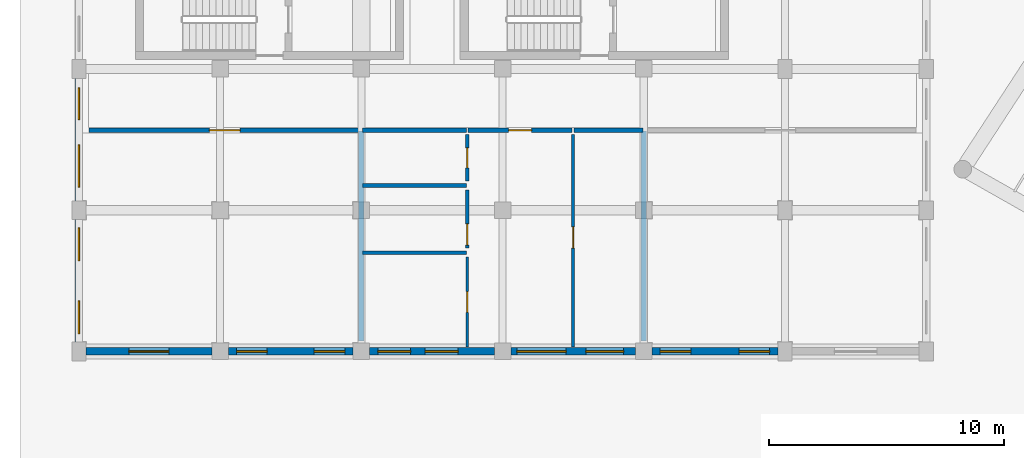
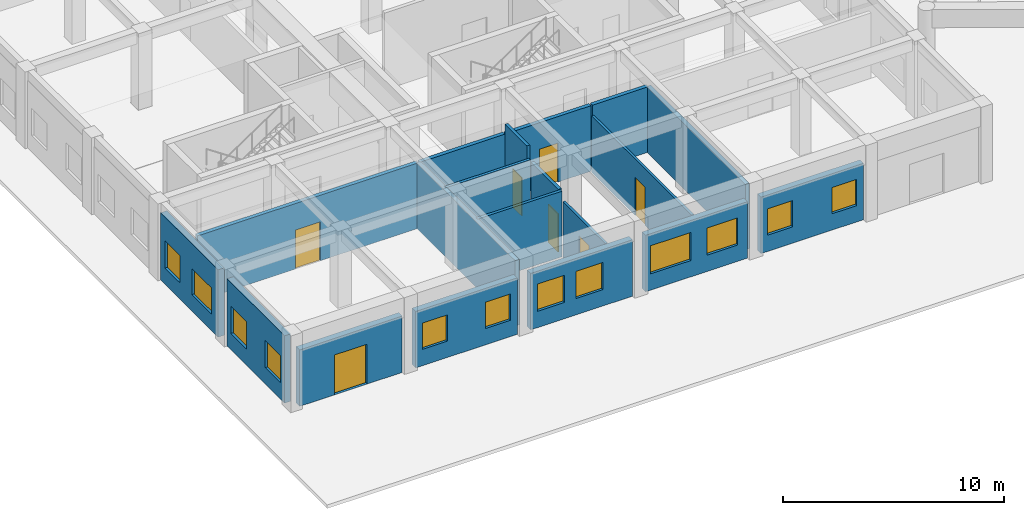
# One storey, part 47 of 76: 19 walls, 12 windows, 7 doors, 19 openings.
"""IFC4 building model written with IfcOpenShell, lengths in metres."""

from ifc_helpers import new_model, si_unit, direction, frame, frame_2d, origin, place, context, subcontext, project, spatial, rectangle, extrude, material, layer, layer_set, type_object, element, fill, save


model = new_model("IFC4")

# Units and contexts
model_context = context("Model", 3, precision=1e-05, world=origin(), true_north=direction((0.0, 1.0)))
body_context = subcontext(model_context, "Body", "Model", "MODEL_VIEW")
ifc_project = project(units=[si_unit("LENGTHUNIT", "METRE"), si_unit("AREAUNIT", "SQUARE_METRE"), si_unit("VOLUMEUNIT", "CUBIC_METRE"), si_unit("PLANEANGLEUNIT", "RADIAN"), si_unit("MASSUNIT", "GRAM", prefix="KILO"), si_unit("POWERUNIT", "WATT"), si_unit("THERMODYNAMICTEMPERATUREUNIT", "KELVIN")], contexts=[model_context])

# Site, building, storey
site_placement = place(None, origin())
site = spatial("IfcSite", under=ifc_project, at=site_placement, CompositionType="ELEMENT")
building_placement = place(site_placement, origin())
building = spatial("IfcBuilding", under=site, at=building_placement, Name="Ruvembo Vaulted Housing Court", CompositionType="ELEMENT")
storey_placement = place(building_placement, origin())
storey = spatial("IfcBuildingStorey", under=building, at=storey_placement, Name="L00", CompositionType="ELEMENT", Elevation=0.0)

# Wall, opening, door
ifc_material_1 = material(Name="Concrete Blockwork 200", Category="masonry")
ifc_layer_1 = layer(ifc_material_1, 0.199951171875, Name="Concrete Blockwork 200")
ifc_layer_set_1 = layer_set([ifc_layer_1], Name="Concrete Blockwork 200")
wall_type_1 = type_object("IfcWallType", Name="WL-CORR-200", PredefinedType="SOLIDWALL", material=ifc_layer_set_1)
wall_1_placement = place(storey_placement, frame((0.43994140625, 15.39990234375, 0.0), z_axis=(0.0, 0.0, 1.0), x_axis=(1.0, 0.0, 0.0)))
wall_1 = element("IfcWall", 1, at=wall_1_placement, inside=storey, type_object=wall_type_1, Name="L00 West Vestibule WL-INT-L00-00094", PredefinedType="SOLIDWALL", context=body_context, shape_type="SweptSolid", body=[
    extrude(rectangle(XDim=11.52001953125, YDim=0.199951171875, at=frame_2d((5.760009765625, 0.0))), origin(), (0.0, 0.0, 1.0), 3.612060546875),
])
opening_1_placement = place(wall_1_placement, frame((5.110107421875, 0.0, 0.0)))
opening_1 = element("IfcOpeningElement", 2, at=opening_1_placement, cuts=wall_1, Name="Opening CD2", PredefinedType="OPENING", context=body_context, shape_type="SweptSolid", body=[
    extrude(rectangle(XDim=1.300048828125, YDim=2.14990234375, at=frame_2d((0.64990234375, 1.074951171875))), frame((0.0, 0.10986328125, 0.0), z_axis=(0.0, -1.0, 0.0), x_axis=(1.0, 0.0, 0.0)), (0.0, 0.0, 1.0), 0.219970703125),
])
ifc_material_2 = material(Name="FSC Hardwood and Engineered Timber", Category="wood")
door_type_1 = type_object("IfcDoorType", Name="DR-CIVIC-1300x2150", OperationType="NOTDEFINED", PredefinedType="DOOR", material=ifc_material_2)
door_1_placement = place(opening_1_placement, origin())
door_1 = element("IfcDoor", 3, at=door_1_placement, inside=storey, type_object=door_type_1, Name="L00 West Vestibule Door DR-INT-L00-00039", OperationType="SINGLE_SWING_LEFT", OverallHeight=2.14990234375, OverallWidth=1.300048828125, PredefinedType="DOOR", context=body_context, shape_type="SweptSolid", body=[
    extrude(rectangle(XDim=1.300048828125, YDim=2.14990234375, at=frame_2d((0.64990234375, 1.074951171875))), frame((0.0, 0.02490234375, 0.0), z_axis=(0.0, -1.0, 0.0), x_axis=(1.0, 0.0, 0.0)), (0.0, 0.0, 1.0), 0.050048828125),
])
fill(opening_1, door_1)

# Wall
wall_2_placement = place(storey_placement, frame((12.0400390625, 15.39990234375, 0.0), z_axis=(0.0, 0.0, 1.0), x_axis=(1.0, 0.0, 0.0)))
element("IfcWall", 4, at=wall_2_placement, inside=storey, type_object=wall_type_1, Name="L00 Flat A01 Corridor Wall WL-INT-L00-00096", PredefinedType="SOLIDWALL", context=body_context, shape_type="SweptSolid", body=[
    extrude(rectangle(XDim=4.419921875, YDim=0.199951171875, at=frame_2d((2.2099609375, 0.0))), origin(), (0.0, 0.0, 1.0), 3.612060546875),
])

# Wall, opening, door
wall_3_placement = place(storey_placement, frame((16.5400390625, 15.39990234375, 0.0), z_axis=(0.0, 0.0, 1.0), x_axis=(1.0, 0.0, 0.0)))
wall_3 = element("IfcWall", 5, at=wall_3_placement, inside=storey, type_object=wall_type_1, Name="L00 Flat A01 Entrance WL-INT-L00-00097", PredefinedType="SOLIDWALL", context=body_context, shape_type="SweptSolid", body=[
    extrude(rectangle(XDim=4.419921875, YDim=0.199951171875, at=frame_2d((2.2099609375, 0.0))), origin(), (0.0, 0.0, 1.0), 3.612060546875),
])
opening_2_placement = place(wall_3_placement, frame((1.719970703125, 0.0, 0.0)))
opening_2 = element("IfcOpeningElement", 6, at=opening_2_placement, cuts=wall_3, Name="Opening FD2", PredefinedType="OPENING", context=body_context, shape_type="SweptSolid", body=[
    extrude(rectangle(XDim=0.97998046875, YDim=2.14990234375, at=frame_2d((0.489990234375, 1.074951171875))), frame((0.0, 0.10986328125, 0.0), z_axis=(0.0, -1.0, 0.0), x_axis=(1.0, 0.0, 0.0)), (0.0, 0.0, 1.0), 0.219970703125),
])
door_type_2 = type_object("IfcDoorType", Name="DR-FLAT-0980x2150", OperationType="NOTDEFINED", PredefinedType="DOOR", material=ifc_material_2)
door_2_placement = place(opening_2_placement, origin())
door_2 = element("IfcDoor", 7, at=door_2_placement, inside=storey, type_object=door_type_2, Name="L00 Flat A01 Entrance Door DR-INT-L00-00040", OperationType="SINGLE_SWING_RIGHT", OverallHeight=2.14990234375, OverallWidth=0.97998046875, PredefinedType="DOOR", context=body_context, shape_type="SweptSolid", body=[
    extrude(rectangle(XDim=0.97998046875, YDim=2.14990234375, at=frame_2d((0.489990234375, 1.074951171875))), frame((0.0, 0.02490234375, 0.0), z_axis=(0.0, -1.0, 0.0), x_axis=(1.0, 0.0, 0.0)), (0.0, 0.0, 1.0), 0.050048828125),
])
fill(opening_2, door_2)

# Walls
wall_4_placement = place(storey_placement, frame((21.0400390625, 15.39990234375, 0.0), z_axis=(0.0, 0.0, 1.0), x_axis=(1.0, 0.0, 0.0)))
element("IfcWall", 8, at=wall_4_placement, inside=storey, type_object=wall_type_1, Name="L00 Flat A01 Corridor Wall 2 WL-INT-L00-00103", PredefinedType="SOLIDWALL", context=body_context, shape_type="SweptSolid", body=[
    extrude(rectangle(XDim=2.919921875, YDim=0.199951171875, at=frame_2d((1.4599609375, 0.0))), origin(), (0.0, 0.0, 1.0), 3.612060546875),
])
ifc_material_3 = material(Name="Acoustic Masonry Demising 220", Category="masonry")
ifc_layer_2 = layer(ifc_material_3, 0.219970703125, Name="Acoustic Masonry Demising 220")
ifc_layer_set_2 = layer_set([ifc_layer_2], Name="Acoustic Masonry Demising 220")
wall_type_2 = type_object("IfcWallType", Name="WL-DEM-200", PredefinedType="SOLIDWALL", material=ifc_layer_set_2)
for number, where, z_axis, x_axis, name in (
    (9, (12.0, 6.43994140625, 0.0), (0.0, 0.0, 1.0), (0.0, 1.0, 0.0), "L00 Demising WL-INT-L00-00095"),
    (10, (24.0, 6.43994140625, 0.0), (0.0, 0.0, 1.0), (0.0, 1.0, 0.0), "L00 Demising WL-INT-L00-00105"),
):
    element("IfcWall", number, at=place(storey_placement, frame(where, z_axis=z_axis, x_axis=x_axis)), inside=storey, type_object=wall_type_2, Name=name, PredefinedType="SOLIDWALL", context=body_context, shape_type="SweptSolid", body=[
        extrude(rectangle(XDim=8.920166015625, YDim=0.219970703125, at=frame_2d((4.4599609375, 0.0))), origin(), (0.0, 0.0, 1.0), 3.612060546875),
    ])

# Wall, opening, door
ifc_material_4 = material(Name="Rendered Masonry 320", Category="masonry")
ifc_layer_3 = layer(ifc_material_4, 0.320068359375, Name="Rendered Masonry 320")
ifc_layer_set_3 = layer_set([ifc_layer_3], Name="Rendered Masonry 320")
wall_type_3 = type_object("IfcWallType", Name="WL-EXT-320", PredefinedType="STANDARD", material=ifc_layer_set_3)
wall_5_placement = place(storey_placement, frame((0.300048828125, 6.0, 0.0), z_axis=(0.0, 0.0, 1.0), x_axis=(1.0, 0.0, 0.0)))
wall_5 = element("IfcWall", 11, at=wall_5_placement, inside=storey, type_object=wall_type_3, Name="Block A L00 Exterior Wall STREET #1", PredefinedType="STANDARD", context=body_context, shape_type="SweptSolid", body=[
    extrude(rectangle(XDim=5.349853515625, YDim=0.320068359375, at=frame_2d((2.6748046875, 0.0))), origin(), (0.0, 0.0, 1.0), 3.112060546875),
])
opening_3_placement = place(wall_5_placement, frame((1.824951171875, 0.0, 0.0)))
opening_3 = element("IfcOpeningElement", 12, at=opening_3_placement, cuts=wall_5, Name="Opening EX3", PredefinedType="OPENING", context=body_context, shape_type="SweptSolid", body=[
    extrude(rectangle(XDim=1.699951171875, YDim=2.199951171875, at=frame_2d((0.85009765625, 1.10009765625))), frame((0.0, 0.169921875, 0.0), z_axis=(0.0, -1.0, 0.0), x_axis=(1.0, 0.0, 0.0)), (0.0, 0.0, 1.0), 0.340087890625),
])
ifc_material_5 = material(Name="Thermally Broken Glazed Aluminium", Category="aluminium")
door_type_3 = type_object("IfcDoorType", Name="DR-EXIT-1700x2200", OperationType="NOTDEFINED", PredefinedType="DOOR", material=ifc_material_5)
door_3_placement = place(opening_3_placement, frame((1.699951171875, 0.0, 0.0), z_axis=(0.0, 0.0, 1.0), x_axis=(-1.0, 0.0, 0.0)))
door_3 = element("IfcDoor", 13, at=door_3_placement, inside=storey, type_object=door_type_3, Name="Block A Final Exit Door DR-EXIT-A-001", OperationType="DOUBLE_DOOR_SINGLE_SWING", OverallHeight=2.199951171875, OverallWidth=1.699951171875, PredefinedType="DOOR", context=body_context, shape_type="SweptSolid", body=[
    extrude(rectangle(XDim=1.699951171875, YDim=2.199951171875, at=frame_2d((0.85009765625, 1.10009765625))), frame((0.0, 0.02490234375, 0.0), z_axis=(0.0, -1.0, 0.0), x_axis=(1.0, 0.0, 0.0)), (0.0, 0.0, 1.0), 0.050048828125),
])
fill(opening_3, door_3)

# Wall, openings, windows
wall_6_placement = place(storey_placement, frame((6.35009765625, 6.0, 0.0), z_axis=(0.0, 0.0, 1.0), x_axis=(1.0, 0.0, 0.0)))
wall_6 = element("IfcWall", 14, at=wall_6_placement, inside=storey, type_object=wall_type_3, Name="Block A L00 Exterior Wall STREET #2", PredefinedType="STANDARD", context=body_context, shape_type="SweptSolid", body=[
    extrude(rectangle(XDim=5.2998046875, YDim=0.320068359375, at=frame_2d((2.64990234375, 0.0))), origin(), (0.0, 0.0, 1.0), 3.112060546875),
])
opening_4_placement = place(wall_6_placement, frame((0.35009765625, 0.0, 0.89990234375)))
opening_4 = element("IfcOpeningElement", 15, at=opening_4_placement, cuts=wall_6, Name="Opening W15", PredefinedType="OPENING", context=body_context, shape_type="SweptSolid", body=[
    extrude(rectangle(XDim=1.300048828125, YDim=1.449951171875, at=frame_2d((0.64990234375, 0.72509765625))), frame((0.0, 0.169921875, 0.0), z_axis=(0.0, -1.0, 0.0), x_axis=(1.0, 0.0, 0.0)), (0.0, 0.0, 1.0), 0.340087890625),
])
opening_5_placement = place(wall_6_placement, frame((3.64990234375, 0.0, 0.89990234375)))
opening_5 = element("IfcOpeningElement", 16, at=opening_5_placement, cuts=wall_6, Name="Opening W15", PredefinedType="OPENING", context=body_context, shape_type="SweptSolid", body=[
    extrude(rectangle(XDim=1.300048828125, YDim=1.449951171875, at=frame_2d((0.64990234375, 0.72509765625))), frame((0.0, 0.169921875, 0.0), z_axis=(0.0, -1.0, 0.0), x_axis=(1.0, 0.0, 0.0)), (0.0, 0.0, 1.0), 0.340087890625),
])
ifc_material_6 = material(Name="Double Solar-Control Glazing in Aluminium Frame", Category="aluminium")
window_type_1 = type_object("IfcWindowType", Name="WIN-1300x1450", PartitioningType="SINGLE_PANEL", PredefinedType="WINDOW", material=ifc_material_6)
window_1_placement = place(opening_4_placement, origin())
window_1 = element("IfcWindow", 17, at=window_1_placement, inside=storey, type_object=window_type_1, Name="Block A L00 Window #1", OverallHeight=1.449951171875, OverallWidth=1.300048828125, PartitioningType="SINGLE_PANEL", PredefinedType="WINDOW", context=body_context, shape_type="SweptSolid", body=[
    extrude(rectangle(XDim=1.300048828125, YDim=1.449951171875, at=frame_2d((0.64990234375, 0.72509765625))), frame((0.0, 0.030029296875, 0.0), z_axis=(0.0, -1.0, 0.0), x_axis=(1.0, 0.0, 0.0)), (0.0, 0.0, 1.0), 0.06005859375),
])
fill(opening_4, window_1)
window_2_placement = place(opening_5_placement, origin())
window_2 = element("IfcWindow", 18, at=window_2_placement, inside=storey, type_object=window_type_1, Name="Block A L00 Window #2", OverallHeight=1.449951171875, OverallWidth=1.300048828125, PartitioningType="SINGLE_PANEL", PredefinedType="WINDOW", context=body_context, shape_type="SweptSolid", body=[
    extrude(rectangle(XDim=1.300048828125, YDim=1.449951171875, at=frame_2d((0.64990234375, 0.72509765625))), frame((0.0, 0.030029296875, 0.0), z_axis=(0.0, -1.0, 0.0), x_axis=(1.0, 0.0, 0.0)), (0.0, 0.0, 1.0), 0.06005859375),
])
fill(opening_5, window_2)

wall_7_placement = place(storey_placement, frame((12.35009765625, 6.0, 0.0), z_axis=(0.0, 0.0, 1.0), x_axis=(1.0, 0.0, 0.0)))
wall_7 = element("IfcWall", 19, at=wall_7_placement, inside=storey, type_object=wall_type_3, Name="Block A L00 Exterior Wall STREET #3", PredefinedType="STANDARD", context=body_context, shape_type="SweptSolid", body=[
    extrude(rectangle(XDim=5.2998046875, YDim=0.320068359375, at=frame_2d((2.64990234375, 0.0))), origin(), (0.0, 0.0, 1.0), 3.112060546875),
])
opening_6_placement = place(wall_7_placement, frame((0.35009765625, 0.0, 0.89990234375)))
opening_6 = element("IfcOpeningElement", 20, at=opening_6_placement, cuts=wall_7, Name="Opening W17", PredefinedType="OPENING", context=body_context, shape_type="SweptSolid", body=[
    extrude(rectangle(XDim=1.39990234375, YDim=1.5, at=frame_2d((0.699951171875, 0.75))), frame((0.0, 0.169921875, 0.0), z_axis=(0.0, -1.0, 0.0), x_axis=(1.0, 0.0, 0.0)), (0.0, 0.0, 1.0), 0.340087890625),
])
opening_7_placement = place(wall_7_placement, frame((2.360107421875, 0.0, 0.89990234375)))
opening_7 = element("IfcOpeningElement", 21, at=opening_7_placement, cuts=wall_7, Name="Opening W17", PredefinedType="OPENING", context=body_context, shape_type="SweptSolid", body=[
    extrude(rectangle(XDim=1.39990234375, YDim=1.5, at=frame_2d((0.699951171875, 0.75))), frame((0.0, 0.169921875, 0.0), z_axis=(0.0, -1.0, 0.0), x_axis=(1.0, 0.0, 0.0)), (0.0, 0.0, 1.0), 0.340087890625),
])
window_type_2 = type_object("IfcWindowType", Name="WIN-1400x1500", PartitioningType="SINGLE_PANEL", PredefinedType="WINDOW", material=ifc_material_6)
window_3_placement = place(opening_6_placement, origin())
window_3 = element("IfcWindow", 22, at=window_3_placement, inside=storey, type_object=window_type_2, Name="Block A L00 Window #3", OverallHeight=1.5, OverallWidth=1.39990234375, PartitioningType="SINGLE_PANEL", PredefinedType="WINDOW", context=body_context, shape_type="SweptSolid", body=[
    extrude(rectangle(XDim=1.39990234375, YDim=1.5, at=frame_2d((0.699951171875, 0.75))), frame((0.0, 0.030029296875, 0.0), z_axis=(0.0, -1.0, 0.0), x_axis=(1.0, 0.0, 0.0)), (0.0, 0.0, 1.0), 0.06005859375),
])
fill(opening_6, window_3)
window_4_placement = place(opening_7_placement, origin())
window_4 = element("IfcWindow", 23, at=window_4_placement, inside=storey, type_object=window_type_2, Name="Block A L00 Window #4", OverallHeight=1.5, OverallWidth=1.39990234375, PartitioningType="SINGLE_PANEL", PredefinedType="WINDOW", context=body_context, shape_type="SweptSolid", body=[
    extrude(rectangle(XDim=1.39990234375, YDim=1.5, at=frame_2d((0.699951171875, 0.75))), frame((0.0, 0.030029296875, 0.0), z_axis=(0.0, -1.0, 0.0), x_axis=(1.0, 0.0, 0.0)), (0.0, 0.0, 1.0), 0.06005859375),
])
fill(opening_7, window_4)

wall_8_placement = place(storey_placement, frame((18.35009765625, 6.0, 0.0), z_axis=(0.0, 0.0, 1.0), x_axis=(1.0, 0.0, 0.0)))
wall_8 = element("IfcWall", 24, at=wall_8_placement, inside=storey, type_object=wall_type_3, Name="Block A L00 Exterior Wall STREET #4", PredefinedType="STANDARD", context=body_context, shape_type="SweptSolid", body=[
    extrude(rectangle(XDim=5.2998046875, YDim=0.320068359375, at=frame_2d((2.64990234375, 0.0))), origin(), (0.0, 0.0, 1.0), 3.112060546875),
])
opening_8_placement = place(wall_8_placement, frame((0.2548828125, 0.0, 0.89990234375)))
opening_8 = element("IfcOpeningElement", 25, at=opening_8_placement, cuts=wall_8, Name="Opening W25", PredefinedType="OPENING", context=body_context, shape_type="SweptSolid", body=[
    extrude(rectangle(XDim=2.10009765625, YDim=1.550048828125, at=frame_2d((1.050048828125, 0.77490234375))), frame((0.0, 0.169921875, 0.0), z_axis=(0.0, -1.0, 0.0), x_axis=(1.0, 0.0, 0.0)), (0.0, 0.0, 1.0), 0.340087890625),
])
opening_9_placement = place(wall_8_placement, frame((3.195068359375, 0.0, 0.89990234375)))
opening_9 = element("IfcOpeningElement", 26, at=opening_9_placement, cuts=wall_8, Name="Opening W20", PredefinedType="OPENING", context=body_context, shape_type="SweptSolid", body=[
    extrude(rectangle(XDim=1.60009765625, YDim=1.5, at=frame_2d((0.800048828125, 0.75))), frame((0.0, 0.169921875, 0.0), z_axis=(0.0, -1.0, 0.0), x_axis=(1.0, 0.0, 0.0)), (0.0, 0.0, 1.0), 0.340087890625),
])
window_type_3 = type_object("IfcWindowType", Name="WIN-1600x1500", PartitioningType="SINGLE_PANEL", PredefinedType="WINDOW", material=ifc_material_6)
window_5_placement = place(opening_9_placement, origin())
window_5 = element("IfcWindow", 27, at=window_5_placement, inside=storey, type_object=window_type_3, Name="Block A L00 Window #6", OverallHeight=1.5, OverallWidth=1.60009765625, PartitioningType="SINGLE_PANEL", PredefinedType="WINDOW", context=body_context, shape_type="SweptSolid", body=[
    extrude(rectangle(XDim=1.60009765625, YDim=1.5, at=frame_2d((0.800048828125, 0.75))), frame((0.0, 0.030029296875, 0.0), z_axis=(0.0, -1.0, 0.0), x_axis=(1.0, 0.0, 0.0)), (0.0, 0.0, 1.0), 0.06005859375),
])
fill(opening_9, window_5)
window_type_4 = type_object("IfcWindowType", Name="WIN-2100x1550", PartitioningType="SINGLE_PANEL", PredefinedType="WINDOW", material=ifc_material_6)
window_6_placement = place(opening_8_placement, origin())
window_6 = element("IfcWindow", 28, at=window_6_placement, inside=storey, type_object=window_type_4, Name="Block A L00 Window #5", OverallHeight=1.550048828125, OverallWidth=2.10009765625, PartitioningType="SINGLE_PANEL", PredefinedType="WINDOW", context=body_context, shape_type="SweptSolid", body=[
    extrude(rectangle(XDim=2.10009765625, YDim=1.550048828125, at=frame_2d((1.050048828125, 0.77490234375))), frame((0.0, 0.030029296875, 0.0), z_axis=(0.0, -1.0, 0.0), x_axis=(1.0, 0.0, 0.0)), (0.0, 0.0, 1.0), 0.06005859375),
])
fill(opening_8, window_6)

wall_9_placement = place(storey_placement, frame((24.35009765625, 6.0, 0.0), z_axis=(0.0, 0.0, 1.0), x_axis=(1.0, 0.0, 0.0)))
wall_9 = element("IfcWall", 29, at=wall_9_placement, inside=storey, type_object=wall_type_3, Name="Block A L00 Exterior Wall STREET #5", PredefinedType="STANDARD", context=body_context, shape_type="SweptSolid", body=[
    extrude(rectangle(XDim=5.349853515625, YDim=0.320068359375, at=frame_2d((2.6748046875, 0.0))), origin(), (0.0, 0.0, 1.0), 3.112060546875),
])
opening_10_placement = place(wall_9_placement, frame((0.35009765625, 0.0, 0.89990234375)))
opening_10 = element("IfcOpeningElement", 30, at=opening_10_placement, cuts=wall_9, Name="Opening W15", PredefinedType="OPENING", context=body_context, shape_type="SweptSolid", body=[
    extrude(rectangle(XDim=1.300048828125, YDim=1.449951171875, at=frame_2d((0.64990234375, 0.72509765625))), frame((0.0, 0.169921875, 0.0), z_axis=(0.0, -1.0, 0.0), x_axis=(1.0, 0.0, 0.0)), (0.0, 0.0, 1.0), 0.340087890625),
])
opening_11_placement = place(wall_9_placement, frame((3.699951171875, 0.0, 0.89990234375)))
opening_11 = element("IfcOpeningElement", 31, at=opening_11_placement, cuts=wall_9, Name="Opening W15", PredefinedType="OPENING", context=body_context, shape_type="SweptSolid", body=[
    extrude(rectangle(XDim=1.300048828125, YDim=1.449951171875, at=frame_2d((0.64990234375, 0.72509765625))), frame((0.0, 0.169921875, 0.0), z_axis=(0.0, -1.0, 0.0), x_axis=(1.0, 0.0, 0.0)), (0.0, 0.0, 1.0), 0.340087890625),
])
window_7_placement = place(opening_10_placement, origin())
window_7 = element("IfcWindow", 32, at=window_7_placement, inside=storey, type_object=window_type_1, Name="Block A L00 Window #7", OverallHeight=1.449951171875, OverallWidth=1.300048828125, PartitioningType="SINGLE_PANEL", PredefinedType="WINDOW", context=body_context, shape_type="SweptSolid", body=[
    extrude(rectangle(XDim=1.300048828125, YDim=1.449951171875, at=frame_2d((0.64990234375, 0.72509765625))), frame((0.0, 0.030029296875, 0.0), z_axis=(0.0, -1.0, 0.0), x_axis=(1.0, 0.0, 0.0)), (0.0, 0.0, 1.0), 0.06005859375),
])
fill(opening_10, window_7)
window_8_placement = place(opening_11_placement, origin())
window_8 = element("IfcWindow", 33, at=window_8_placement, inside=storey, type_object=window_type_1, Name="Block A L00 Window #8", OverallHeight=1.449951171875, OverallWidth=1.300048828125, PartitioningType="SINGLE_PANEL", PredefinedType="WINDOW", context=body_context, shape_type="SweptSolid", body=[
    extrude(rectangle(XDim=1.300048828125, YDim=1.449951171875, at=frame_2d((0.64990234375, 0.72509765625))), frame((0.0, 0.030029296875, 0.0), z_axis=(0.0, -1.0, 0.0), x_axis=(1.0, 0.0, 0.0)), (0.0, 0.0, 1.0), 0.06005859375),
])
fill(opening_11, window_8)

wall_10_placement = place(storey_placement, frame((0.0, 17.60009765625, 0.0), z_axis=(0.0, 0.0, 1.0), x_axis=(0.0, -1.0, 0.0)))
wall_10 = element("IfcWall", 34, at=wall_10_placement, inside=storey, type_object=wall_type_3, Name="Block A L00 Exterior Wall WEST #5", PredefinedType="STANDARD", context=body_context, shape_type="SweptSolid", body=[
    extrude(rectangle(XDim=5.2001953125, YDim=0.320068359375, at=frame_2d((2.60009765625, 0.0))), origin(), (0.0, 0.0, 1.0), 3.7119140625),
])
opening_12_placement = place(wall_10_placement, frame((0.405029296875, 0.0, 0.89990234375)))
opening_12 = element("IfcOpeningElement", 35, at=opening_12_placement, cuts=wall_10, Name="Opening W16", PredefinedType="OPENING", context=body_context, shape_type="SweptSolid", body=[
    extrude(rectangle(XDim=1.35009765625, YDim=1.5, at=frame_2d((0.675048828125, 0.75))), frame((0.0, 0.169921875, 0.0), z_axis=(0.0, -1.0, 0.0), x_axis=(1.0, 0.0, 0.0)), (0.0, 0.0, 1.0), 0.340087890625),
])
opening_13_placement = place(wall_10_placement, frame((2.820068359375, 0.0, 0.89990234375)))
opening_13 = element("IfcOpeningElement", 36, at=opening_13_placement, cuts=wall_10, Name="Opening W22", PredefinedType="OPENING", context=body_context, shape_type="SweptSolid", body=[
    extrude(rectangle(XDim=1.800048828125, YDim=1.449951171875, at=frame_2d((0.89990234375, 0.72509765625))), frame((0.0, 0.169921875, 0.0), z_axis=(0.0, -1.0, 0.0), x_axis=(1.0, 0.0, 0.0)), (0.0, 0.0, 1.0), 0.340087890625),
])
window_type_5 = type_object("IfcWindowType", Name="WIN-1350x1500", PartitioningType="SINGLE_PANEL", PredefinedType="WINDOW", material=ifc_material_6)
window_9_placement = place(opening_12_placement, origin())
window_9 = element("IfcWindow", 37, at=window_9_placement, inside=storey, type_object=window_type_5, Name="Block A L00 Window #37", OverallHeight=1.5, OverallWidth=1.35009765625, PartitioningType="SINGLE_PANEL", PredefinedType="WINDOW", context=body_context, shape_type="SweptSolid", body=[
    extrude(rectangle(XDim=1.35009765625, YDim=1.5, at=frame_2d((0.675048828125, 0.75))), frame((0.0, 0.030029296875, 0.0), z_axis=(0.0, -1.0, 0.0), x_axis=(1.0, 0.0, 0.0)), (0.0, 0.0, 1.0), 0.06005859375),
])
fill(opening_12, window_9)
window_type_6 = type_object("IfcWindowType", Name="WIN-1800x1450", PartitioningType="SINGLE_PANEL", PredefinedType="WINDOW", material=ifc_material_6)
window_10_placement = place(opening_13_placement, origin())
window_10 = element("IfcWindow", 38, at=window_10_placement, inside=storey, type_object=window_type_6, Name="Block A L00 Window #38", OverallHeight=1.449951171875, OverallWidth=1.800048828125, PartitioningType="SINGLE_PANEL", PredefinedType="WINDOW", context=body_context, shape_type="SweptSolid", body=[
    extrude(rectangle(XDim=1.800048828125, YDim=1.449951171875, at=frame_2d((0.89990234375, 0.72509765625))), frame((0.0, 0.030029296875, 0.0), z_axis=(0.0, -1.0, 0.0), x_axis=(1.0, 0.0, 0.0)), (0.0, 0.0, 1.0), 0.06005859375),
])
fill(opening_13, window_10)

wall_11_placement = place(storey_placement, frame((0.0, 11.60009765625, 0.0), z_axis=(0.0, 0.0, 1.0), x_axis=(0.0, -1.0, 0.0)))
wall_11 = element("IfcWall", 39, at=wall_11_placement, inside=storey, type_object=wall_type_3, Name="Block A L00 Exterior Wall WEST #6", PredefinedType="STANDARD", context=body_context, shape_type="SweptSolid", body=[
    extrude(rectangle(XDim=5.2001953125, YDim=0.320068359375, at=frame_2d((2.60009765625, 0.0))), origin(), (0.0, 0.0, 1.0), 3.7119140625),
])
opening_14_placement = place(wall_11_placement, frame((0.35009765625, 0.0, 0.89990234375)))
opening_14 = element("IfcOpeningElement", 40, at=opening_14_placement, cuts=wall_11, Name="Opening W17", PredefinedType="OPENING", context=body_context, shape_type="SweptSolid", body=[
    extrude(rectangle(XDim=1.39990234375, YDim=1.5, at=frame_2d((0.699951171875, 0.75))), frame((0.0, 0.169921875, 0.0), z_axis=(0.0, -1.0, 0.0), x_axis=(1.0, 0.0, 0.0)), (0.0, 0.0, 1.0), 0.340087890625),
])
opening_15_placement = place(wall_11_placement, frame((3.449951171875, 0.0, 0.89990234375)))
opening_15 = element("IfcOpeningElement", 41, at=opening_15_placement, cuts=wall_11, Name="Opening W17", PredefinedType="OPENING", context=body_context, shape_type="SweptSolid", body=[
    extrude(rectangle(XDim=1.39990234375, YDim=1.5, at=frame_2d((0.699951171875, 0.75))), frame((0.0, 0.169921875, 0.0), z_axis=(0.0, -1.0, 0.0), x_axis=(1.0, 0.0, 0.0)), (0.0, 0.0, 1.0), 0.340087890625),
])
window_11_placement = place(opening_14_placement, origin())
window_11 = element("IfcWindow", 42, at=window_11_placement, inside=storey, type_object=window_type_2, Name="Block A L00 Window #39", OverallHeight=1.5, OverallWidth=1.39990234375, PartitioningType="SINGLE_PANEL", PredefinedType="WINDOW", context=body_context, shape_type="SweptSolid", body=[
    extrude(rectangle(XDim=1.39990234375, YDim=1.5, at=frame_2d((0.699951171875, 0.75))), frame((0.0, 0.030029296875, 0.0), z_axis=(0.0, -1.0, 0.0), x_axis=(1.0, 0.0, 0.0)), (0.0, 0.0, 1.0), 0.06005859375),
])
fill(opening_14, window_11)
window_12_placement = place(opening_15_placement, origin())
window_12 = element("IfcWindow", 43, at=window_12_placement, inside=storey, type_object=window_type_2, Name="Block A L00 Window #40", OverallHeight=1.5, OverallWidth=1.39990234375, PartitioningType="SINGLE_PANEL", PredefinedType="WINDOW", context=body_context, shape_type="SweptSolid", body=[
    extrude(rectangle(XDim=1.39990234375, YDim=1.5, at=frame_2d((0.699951171875, 0.75))), frame((0.0, 0.030029296875, 0.0), z_axis=(0.0, -1.0, 0.0), x_axis=(1.0, 0.0, 0.0)), (0.0, 0.0, 1.0), 0.06005859375),
])
fill(opening_15, window_12)

# Wall, opening, door
ifc_material_7 = material(Name="Plasterboard Stud Partition 125", Category="gypsum")
ifc_layer_4 = layer(ifc_material_7, 0.125, Name="Plasterboard Stud Partition 125")
ifc_layer_set_4 = layer_set([ifc_layer_4], Name="Plasterboard Stud Partition 125")
wall_type_4 = type_object("IfcWallType", Name="WL-PART-125", PredefinedType="PARTITIONING", material=ifc_layer_set_4)
wall_12_placement = place(storey_placement, frame((16.5, 6.18994140625, 0.0), z_axis=(0.0, 0.0, 1.0), x_axis=(0.0, 1.0, 0.0)))
wall_12 = element("IfcWall", 44, at=wall_12_placement, inside=storey, type_object=wall_type_4, Name="L00 Flat A01 Bedroom 1 WL-INT-L00-00098", PredefinedType="PARTITIONING", context=body_context, shape_type="SweptSolid", body=[
    extrude(rectangle(XDim=3.820068359375, YDim=0.125, at=frame_2d((1.91015625, 0.0))), origin(), (0.0, 0.0, 1.0), 3.112060546875),
])
opening_16_placement = place(wall_12_placement, frame((1.469970703125, 0.0, 0.0)))
opening_16 = element("IfcOpeningElement", 45, at=opening_16_placement, cuts=wall_12, Name="Opening ID3", PredefinedType="OPENING", context=body_context, shape_type="SweptSolid", body=[
    extrude(rectangle(XDim=0.8798828125, YDim=2.10009765625, at=frame_2d((0.43994140625, 1.050048828125))), frame((0.0, 0.072509765625, 0.0), z_axis=(0.0, -1.0, 0.0), x_axis=(1.0, 0.0, 0.0)), (0.0, 0.0, 1.0), 0.14501953125),
])
door_type_4 = type_object("IfcDoorType", Name="DR-ROOM-0880x2100", OperationType="NOTDEFINED", PredefinedType="DOOR", material=ifc_material_2)
door_4_placement = place(opening_16_placement, origin())
door_4 = element("IfcDoor", 46, at=door_4_placement, inside=storey, type_object=door_type_4, Name="L00 Flat A01 Bedroom 1 Door DR-INT-L00-00041", OperationType="SINGLE_SWING_LEFT", OverallHeight=2.10009765625, OverallWidth=0.8798828125, PredefinedType="DOOR", context=body_context, shape_type="SweptSolid", body=[
    extrude(rectangle(XDim=0.8798828125, YDim=2.10009765625, at=frame_2d((0.43994140625, 1.050048828125))), frame((0.0, 0.02490234375, 0.0), z_axis=(0.0, -1.0, 0.0), x_axis=(1.0, 0.0, 0.0)), (0.0, 0.0, 1.0), 0.050048828125),
])
fill(opening_16, door_4)

wall_13_placement = place(storey_placement, frame((21.0, 6.18994140625, 0.0), z_axis=(0.0, 0.0, 1.0), x_axis=(0.0, 1.0, 0.0)))
wall_13 = element("IfcWall", 47, at=wall_13_placement, inside=storey, type_object=wall_type_4, Name="L00 Flat A01 Bedroom 2 WL-INT-L00-00104", PredefinedType="PARTITIONING", context=body_context, shape_type="SweptSolid", body=[
    extrude(rectangle(XDim=9.02001953125, YDim=0.125, at=frame_2d((4.510009765625, 0.0))), origin(), (0.0, 0.0, 1.0), 3.112060546875),
])
opening_17_placement = place(wall_13_placement, frame((4.199951171875, 0.0, 0.0)))
opening_17 = element("IfcOpeningElement", 48, at=opening_17_placement, cuts=wall_13, Name="Opening ID1", PredefinedType="OPENING", context=body_context, shape_type="SweptSolid", body=[
    extrude(rectangle(XDim=0.89990234375, YDim=2.10009765625, at=frame_2d((0.449951171875, 1.050048828125))), frame((0.0, 0.072509765625, 0.0), z_axis=(0.0, -1.0, 0.0), x_axis=(1.0, 0.0, 0.0)), (0.0, 0.0, 1.0), 0.14501953125),
])
door_type_5 = type_object("IfcDoorType", Name="DR-ROOM-0900x2100", OperationType="NOTDEFINED", PredefinedType="DOOR", material=ifc_material_2)
door_5_placement = place(opening_17_placement, origin())
door_5 = element("IfcDoor", 49, at=door_5_placement, inside=storey, type_object=door_type_5, Name="L00 Flat A01 Bedroom 2 Door DR-INT-L00-00044", OperationType="SINGLE_SWING_RIGHT", OverallHeight=2.10009765625, OverallWidth=0.89990234375, PredefinedType="DOOR", context=body_context, shape_type="SweptSolid", body=[
    extrude(rectangle(XDim=0.89990234375, YDim=2.10009765625, at=frame_2d((0.449951171875, 1.050048828125))), frame((0.0, 0.02490234375, 0.0), z_axis=(0.0, -1.0, 0.0), x_axis=(1.0, 0.0, 0.0)), (0.0, 0.0, 1.0), 0.050048828125),
])
fill(opening_17, door_5)

ifc_material_8 = material(Name="Moisture-Resistant Wet Partition 150", Category="gypsum")
ifc_layer_5 = layer(ifc_material_8, 0.14990234375, Name="Moisture-Resistant Wet Partition 150")
ifc_layer_set_5 = layer_set([ifc_layer_5], Name="Moisture-Resistant Wet Partition 150")
wall_type_5 = type_object("IfcWallType", Name="WL-PART-150", PredefinedType="PARTITIONING", material=ifc_layer_set_5)
wall_14_placement = place(storey_placement, frame((16.5, 13.239990234375, 0.0), z_axis=(0.0, 0.0, 1.0), x_axis=(0.0, 1.0, 0.0)))
wall_14 = element("IfcWall", 50, at=wall_14_placement, inside=storey, type_object=wall_type_5, Name="L00 Flat A01 Bathroom WL-INT-L00-00100", PredefinedType="PARTITIONING", context=body_context, shape_type="SweptSolid", body=[
    extrude(rectangle(XDim=1.969970703125, YDim=0.14990234375, at=frame_2d((0.98486328125, 0.0))), origin(), (0.0, 0.0, 1.0), 4.22998046875),
])
opening_18_placement = place(wall_14_placement, frame((0.56005859375, 0.0, 0.0)))
opening_18 = element("IfcOpeningElement", 51, at=opening_18_placement, cuts=wall_14, Name="Opening ID2", PredefinedType="OPENING", context=body_context, shape_type="SweptSolid", body=[
    extrude(rectangle(XDim=0.85009765625, YDim=2.10009765625, at=frame_2d((0.425048828125, 1.050048828125))), frame((0.0, 0.0849609375, 0.0), z_axis=(0.0, -1.0, 0.0), x_axis=(1.0, 0.0, 0.0)), (0.0, 0.0, 1.0), 0.169921875),
])
door_type_6 = type_object("IfcDoorType", Name="DR-WET-0850x2100", OperationType="NOTDEFINED", PredefinedType="DOOR", material=ifc_material_2)
door_6_placement = place(opening_18_placement, origin())
door_6 = element("IfcDoor", 52, at=door_6_placement, inside=storey, type_object=door_type_6, Name="L00 Flat A01 Bathroom Door DR-INT-L00-00043", OperationType="SINGLE_SWING_LEFT", OverallHeight=2.10009765625, OverallWidth=0.85009765625, PredefinedType="DOOR", context=body_context, shape_type="SweptSolid", body=[
    extrude(rectangle(XDim=0.85009765625, YDim=2.10009765625, at=frame_2d((0.425048828125, 1.050048828125))), frame((0.0, 0.02490234375, 0.0), z_axis=(0.0, -1.0, 0.0), x_axis=(1.0, 0.0, 0.0)), (0.0, 0.0, 1.0), 0.050048828125),
])
fill(opening_18, door_6)

# Walls
for number, where, z_axis, x_axis, name in (
    (53, (12.0400390625, 10.199951171875, 0.0), (0.0, 0.0, 1.0), (1.0, 0.0, 0.0), "L00 Flat A01 Wet Wall 1 WL-INT-L00-00101"),
    (54, (12.0400390625, 13.050048828125, 0.0), (0.0, 0.0, 1.0), (1.0, 0.0, 0.0), "L00 Flat A01 Wet Wall 2 WL-INT-L00-00102"),
):
    element("IfcWall", number, at=place(storey_placement, frame(where, z_axis=z_axis, x_axis=x_axis)), inside=storey, type_object=wall_type_5, Name=name, PredefinedType="PARTITIONING", context=body_context, shape_type="SweptSolid", body=[
        extrude(rectangle(XDim=4.419921875, YDim=0.14990234375, at=frame_2d((2.2099609375, 0.0))), origin(), (0.0, 0.0, 1.0), 3.612060546875),
    ])

# Wall, opening, door
ifc_material_9 = material(Name="Acoustic Service Chase Wall 160", Category="gypsum")
ifc_layer_6 = layer(ifc_material_9, 0.159912109375, Name="Acoustic Service Chase Wall 160")
ifc_layer_set_6 = layer_set([ifc_layer_6], Name="Acoustic Service Chase Wall 160")
wall_type_6 = type_object("IfcWallType", Name="WL-PLUMB-160", PredefinedType="PLUMBINGWALL", material=ifc_layer_set_6)
wall_15_placement = place(storey_placement, frame((16.5, 10.389892578125, 0.0), z_axis=(0.0, 0.0, 1.0), x_axis=(0.0, 1.0, 0.0)))
wall_15 = element("IfcWall", 55, at=wall_15_placement, inside=storey, type_object=wall_type_6, Name="L00 Flat A01 Kitchen WL-INT-L00-00099", PredefinedType="PLUMBINGWALL", context=body_context, shape_type="SweptSolid", body=[
    extrude(rectangle(XDim=2.47021484375, YDim=0.159912109375, at=frame_2d((1.235107421875, 0.0))), origin(), (0.0, 0.0, 1.0), 3.56201171875),
])
opening_19_placement = place(wall_15_placement, frame((0.1298828125, 0.0, 0.0)))
opening_19 = element("IfcOpeningElement", 56, at=opening_19_placement, cuts=wall_15, Name="Opening ID1", PredefinedType="OPENING", context=body_context, shape_type="SweptSolid", body=[
    extrude(rectangle(XDim=0.89990234375, YDim=2.10009765625, at=frame_2d((0.449951171875, 1.050048828125))), frame((0.0, 0.08984375, 0.0), z_axis=(0.0, -1.0, 0.0), x_axis=(1.0, 0.0, 0.0)), (0.0, 0.0, 1.0), 0.179931640625),
])
door_7_placement = place(opening_19_placement, origin())
door_7 = element("IfcDoor", 57, at=door_7_placement, inside=storey, type_object=door_type_5, Name="L00 Flat A01 Kitchen Door DR-INT-L00-00042", OperationType="SINGLE_SWING_RIGHT", OverallHeight=2.10009765625, OverallWidth=0.89990234375, PredefinedType="DOOR", context=body_context, shape_type="SweptSolid", body=[
    extrude(rectangle(XDim=0.89990234375, YDim=2.10009765625, at=frame_2d((0.449951171875, 1.050048828125))), frame((0.0, 0.02490234375, 0.0), z_axis=(0.0, -1.0, 0.0), x_axis=(1.0, 0.0, 0.0)), (0.0, 0.0, 1.0), 0.050048828125),
])
fill(opening_19, door_7)

save(model, "model.ifc")
